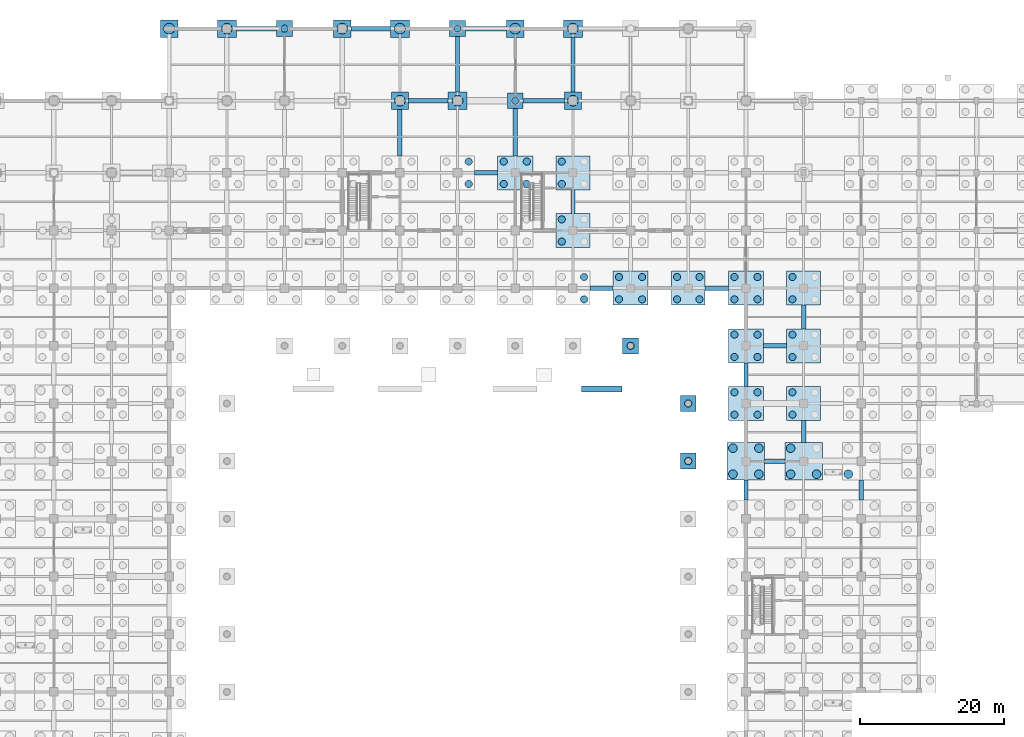
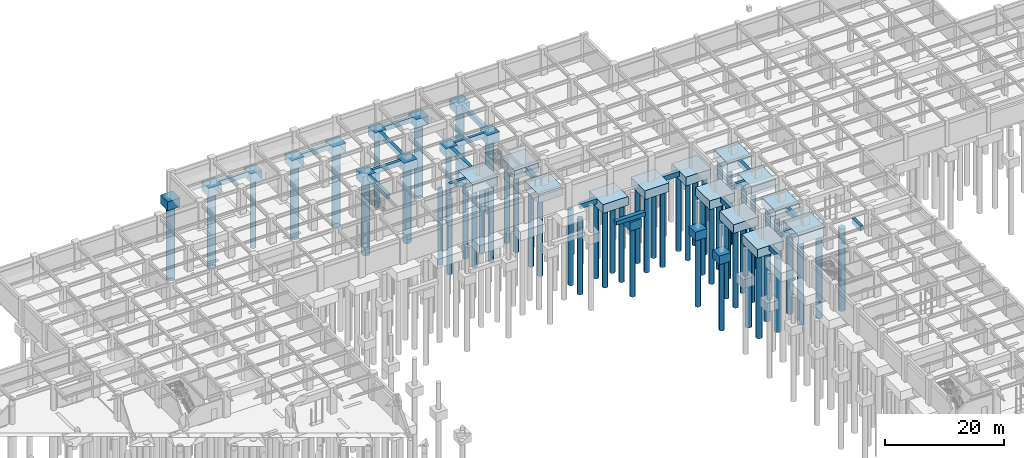
# One storey, part 17 of 97: 61 piles, 49 footings.
"""IFC4 building model written with IfcOpenShell, lengths in metres."""

from ifc_helpers import new_model, si_unit, direction, frame, origin, origin_2d, place, context, subcontext, project, spatial, rectangle, circle, extrude, material, layer, layer_set, material_profile, profile_set, type_object, element, save


model = new_model("IFC4")

# Units and contexts
model_context = context("Model", 3, precision=1e-05, world=origin(), true_north=direction((0.0, 1.0)))
body_context = subcontext(model_context, "Body", "Model", "MODEL_VIEW")
ifc_project = project(units=[si_unit("LENGTHUNIT", "METRE"), si_unit("AREAUNIT", "SQUARE_METRE"), si_unit("VOLUMEUNIT", "CUBIC_METRE"), si_unit("PLANEANGLEUNIT", "RADIAN"), si_unit("MASSUNIT", "GRAM", prefix="KILO")], contexts=[model_context])

# Site, building, storey
site_placement = place(None, origin())
site = spatial("IfcSite", under=ifc_project, at=site_placement, CompositionType="ELEMENT")
building_placement = place(site_placement, origin())
building = spatial("IfcBuilding", under=site, at=building_placement, Name="Haebicheon Civic Stadium", CompositionType="ELEMENT")
storey_placement = place(building_placement, frame((0.0, 0.0, -5.39990234375)))
storey = spatial("IfcBuildingStorey", under=building, at=storey_placement, Name="B1", CompositionType="ELEMENT", Elevation=-5.39990234375)

# Footings
ifc_material_1 = material(Name="Concrete C40/50", Category="concrete")
ifc_layer_1 = layer(ifc_material_1, 1.0, Name="Concrete C40/50")
ifc_layer_set_1 = layer_set([ifc_layer_1], Name="Concrete C40/50")
footing_type_1 = type_object("IfcFootingType", Name="FB-2800x600", PredefinedType="FOOTING_BEAM", material=ifc_layer_set_1)
for number, where, z_axis, x_axis, name in (
    (1, (144.0, 124.0, -1.0), (0.0, 0.0, 1.0), (0.0, 1.0, 0.0), "Ground tie beam Y 18-15"),
    (2, (148.0, 128.0, -1.0), (0.0, 0.0, 1.0), (1.0, 0.0, 0.0), "Ground tie beam X 18-16"),
    (3, (160.0, 124.0, -1.0), (0.0, 0.0, 1.0), (0.0, 1.0, 0.0), "Ground tie beam Y 20-15"),
):
    element("IfcFooting", number, at=place(storey_placement, frame(where, z_axis=z_axis, x_axis=x_axis)), inside=storey, type_object=footing_type_1, material=ifc_layer_set_1, Name=name, PredefinedType="FOOTING_BEAM", context=body_context, shape_type="SweptSolid", body=[
        extrude(rectangle(XDim=2.800048828125, YDim=0.60009765625, at=origin_2d()), origin(), (0.0, 0.0, 1.0), 1.0),
    ])
ifc_material_2 = material(Name="Concrete C40/50", Category="concrete")
ifc_layer_2 = layer(ifc_material_2, 1.0, Name="Concrete C40/50")
ifc_layer_set_2 = layer_set([ifc_layer_2], Name="Concrete C40/50")
footing_type_2 = type_object("IfcFootingType", Name="FB-3050x600", PredefinedType="FOOTING_BEAM", material=ifc_layer_set_2)
footing_1_placement = place(storey_placement, frame((152.0, 132.125, -1.0), z_axis=(0.0, 0.0, 1.0), x_axis=(0.0, 1.0, 0.0)))
element("IfcFooting", 4, at=footing_1_placement, inside=storey, type_object=footing_type_2, material=ifc_layer_set_2, Name="Ground tie beam Y 19-16", PredefinedType="FOOTING_BEAM", context=body_context, shape_type="SweptSolid", body=[
    extrude(rectangle(XDim=3.050048828125, YDim=0.60009765625, at=origin_2d()), origin(), (0.0, 0.0, 1.0), 1.0),
])
ifc_material_3 = material(Name="Concrete C40/50", Category="concrete")
ifc_layer_3 = layer(ifc_material_3, 1.0, Name="Concrete C40/50")
ifc_layer_set_3 = layer_set([ifc_layer_3], Name="Concrete C40/50")
footing_type_3 = type_object("IfcFootingType", Name="FB-3200x600", PredefinedType="FOOTING_BEAM", material=ifc_layer_set_3)
for number, where, z_axis, x_axis, name in (
    (5, (107.949951171875, 168.0, -1.0), (0.0, 0.0, 1.0), (1.0, 0.0, 0.0), "Ground tie beam X 13-21"),
    (6, (123.949951171875, 152.0, -1.0), (0.0, 0.0, 1.0), (1.0, 0.0, 0.0), "Ground tie beam X 15-19"),
    (7, (139.949951171875, 152.0, -1.0), (0.0, 0.0, 1.0), (1.0, 0.0, 0.0), "Ground tie beam X 17-19"),
    (8, (148.050048828125, 144.0, -1.0), (0.0, 0.0, 1.0), (1.0, 0.0, 0.0), "Ground tie beam X 18-18"),
):
    element("IfcFooting", number, at=place(storey_placement, frame(where, z_axis=z_axis, x_axis=x_axis)), inside=storey, type_object=footing_type_3, material=ifc_layer_set_3, Name=name, PredefinedType="FOOTING_BEAM", context=body_context, shape_type="SweptSolid", body=[
        extrude(rectangle(XDim=3.199951171875, YDim=0.60009765625, at=origin_2d()), origin(), (0.0, 0.0, 1.0), 1.0),
    ])
ifc_material_4 = material(Name="Concrete C40/50", Category="concrete")
ifc_layer_4 = layer(ifc_material_4, 1.0, Name="Concrete C40/50")
ifc_layer_set_4 = layer_set([ifc_layer_4], Name="Concrete C40/50")
footing_type_4 = type_object("IfcFootingType", Name="FB-3300x600", PredefinedType="FOOTING_BEAM", material=ifc_layer_set_4)
for number, where, z_axis, x_axis, name in (
    (9, (120.0, 164.0, -1.0), (0.0, 0.0, 1.0), (0.0, 1.0, 0.0), "Ground tie beam Y 15-20"),
    (10, (144.0, 140.0, -1.0), (0.0, 0.0, 1.0), (0.0, 1.0, 0.0), "Ground tie beam Y 18-17"),
    (11, (152.0, 148.0, -1.0), (0.0, 0.0, 1.0), (0.0, 1.0, 0.0), "Ground tie beam Y 19-18"),
):
    element("IfcFooting", number, at=place(storey_placement, frame(where, z_axis=z_axis, x_axis=x_axis)), inside=storey, type_object=footing_type_4, material=ifc_layer_set_4, Name=name, PredefinedType="FOOTING_BEAM", context=body_context, shape_type="SweptSolid", body=[
        extrude(rectangle(XDim=3.300048828125, YDim=0.60009765625, at=origin_2d()), origin(), (0.0, 0.0, 1.0), 1.0),
    ])
ifc_material_5 = material(Name="Concrete C40/50", Category="concrete")
ifc_layer_5 = layer(ifc_material_5, 1.0, Name="Concrete C40/50")
ifc_layer_set_5 = layer_set([ifc_layer_5], Name="Concrete C40/50")
footing_type_5 = type_object("IfcFootingType", Name="FB-5500x600", PredefinedType="FOOTING_BEAM", material=ifc_layer_set_5)
for number, where, z_axis, x_axis, name in (
    (12, (91.949951171875, 188.0, -1.0), (0.0, 0.0, 1.0), (1.0, 0.0, 0.0), "Ground tie beam X 11-23"),
    (13, (99.949951171875, 178.0, -1.0), (0.0, 0.0, 1.0), (1.0, 0.0, 0.0), "Ground tie beam X 12-22"),
):
    element("IfcFooting", number, at=place(storey_placement, frame(where, z_axis=z_axis, x_axis=x_axis)), inside=storey, type_object=footing_type_5, material=ifc_layer_set_5, Name=name, PredefinedType="FOOTING_BEAM", context=body_context, shape_type="SweptSolid", body=[
        extrude(rectangle(XDim=5.5, YDim=0.60009765625, at=origin_2d()), origin(), (0.0, 0.0, 1.0), 1.0),
    ])
ifc_material_6 = material(Name="Concrete C40/50", Category="concrete")
ifc_layer_6 = layer(ifc_material_6, 1.0, Name="Concrete C40/50")
ifc_layer_set_6 = layer_set([ifc_layer_6], Name="Concrete C40/50")
footing_type_6 = type_object("IfcFootingType", Name="FB-5600x600", PredefinedType="FOOTING_BEAM", material=ifc_layer_set_6)
footing_2_placement = place(storey_placement, frame((76.10009765625, 188.0, -1.0), z_axis=(0.0, 0.0, 1.0), x_axis=(1.0, 0.0, 0.0)))
element("IfcFooting", 14, at=footing_2_placement, inside=storey, type_object=footing_type_6, material=ifc_layer_set_6, Name="Ground tie beam X 09-23", PredefinedType="FOOTING_BEAM", context=body_context, shape_type="SweptSolid", body=[
    extrude(rectangle(XDim=5.60009765625, YDim=0.60009765625, at=origin_2d()), origin(), (0.0, 0.0, 1.0), 1.0),
])
ifc_material_7 = material(Name="Concrete C40/50", Category="concrete")
ifc_layer_7 = layer(ifc_material_7, 1.0, Name="Concrete C40/50")
ifc_layer_set_7 = layer_set([ifc_layer_7], Name="Concrete C40/50")
footing_type_7 = type_object("IfcFootingType", Name="FB-5700x600", PredefinedType="FOOTING_BEAM", material=ifc_layer_set_7)
for number, where, z_axis, x_axis, name in (
    (15, (107.949951171875, 188.0, -1.0), (0.0, 0.0, 1.0), (1.0, 0.0, 0.0), "Ground tie beam X 13-23"),
    (16, (115.949951171875, 178.0, -1.0), (0.0, 0.0, 1.0), (1.0, 0.0, 0.0), "Ground tie beam X 14-22"),
):
    element("IfcFooting", number, at=place(storey_placement, frame(where, z_axis=z_axis, x_axis=x_axis)), inside=storey, type_object=footing_type_7, material=ifc_layer_set_7, Name=name, PredefinedType="FOOTING_BEAM", context=body_context, shape_type="SweptSolid", body=[
        extrude(rectangle(XDim=5.699951171875, YDim=0.60009765625, at=origin_2d()), origin(), (0.0, 0.0, 1.0), 1.0),
    ])
ifc_material_8 = material(Name="Concrete C40/50", Category="concrete")
ifc_layer_8 = layer(ifc_material_8, 1.0, Name="Concrete C40/50")
ifc_layer_set_8 = layer_set([ifc_layer_8], Name="Concrete C40/50")
footing_type_8 = type_object("IfcFootingType", Name="FB-6450x600", PredefinedType="FOOTING_BEAM", material=ifc_layer_set_8)
footing_3_placement = place(storey_placement, frame((96.0, 173.574951171875, -1.0), z_axis=(0.0, 0.0, 1.0), x_axis=(0.0, 1.0, 0.0)))
element("IfcFooting", 17, at=footing_3_placement, inside=storey, type_object=footing_type_8, material=ifc_layer_set_8, Name="Ground tie beam Y 12-21", PredefinedType="FOOTING_BEAM", context=body_context, shape_type="SweptSolid", body=[
    extrude(rectangle(XDim=6.449951171875, YDim=0.60009765625, at=origin_2d()), origin(), (0.0, 0.0, 1.0), 1.0),
])
ifc_material_9 = material(Name="Concrete C40/50", Category="concrete")
ifc_layer_9 = layer(ifc_material_9, 1.0, Name="Concrete C40/50")
ifc_layer_set_9 = layer_set([ifc_layer_9], Name="Concrete C40/50")
footing_type_9 = type_object("IfcFootingType", Name="FB-6550x600", PredefinedType="FOOTING_BEAM", material=ifc_layer_set_9)
footing_4_placement = place(storey_placement, frame((112.0, 173.625, -1.0), z_axis=(0.0, 0.0, 1.0), x_axis=(0.0, 1.0, 0.0)))
element("IfcFooting", 18, at=footing_4_placement, inside=storey, type_object=footing_type_9, material=ifc_layer_set_9, Name="Ground tie beam Y 14-21", PredefinedType="FOOTING_BEAM", context=body_context, shape_type="SweptSolid", body=[
    extrude(rectangle(XDim=6.550048828125, YDim=0.60009765625, at=origin_2d()), origin(), (0.0, 0.0, 1.0), 1.0),
])
ifc_material_10 = material(Name="Concrete C40/50", Category="concrete")
ifc_layer_10 = layer(ifc_material_10, 1.0, Name="Concrete C40/50")
ifc_layer_set_10 = layer_set([ifc_layer_10], Name="Concrete C40/50")
footing_type_10 = type_object("IfcFootingType", Name="FB-7600x600", PredefinedType="FOOTING_BEAM", material=ifc_layer_set_10)
footing_5_placement = place(storey_placement, frame((120.0, 183.0, -1.0), z_axis=(0.0, 0.0, 1.0), x_axis=(0.0, 1.0, 0.0)))
element("IfcFooting", 19, at=footing_5_placement, inside=storey, type_object=footing_type_10, material=ifc_layer_set_10, Name="Ground tie beam Y 15-22", PredefinedType="FOOTING_BEAM", context=body_context, shape_type="SweptSolid", body=[
    extrude(rectangle(XDim=7.60009765625, YDim=0.60009765625, at=origin_2d()), origin(), (0.0, 0.0, 1.0), 1.0),
])
ifc_material_11 = material(Name="Concrete C40/50", Category="concrete")
ifc_layer_11 = layer(ifc_material_11, 1.0, Name="Concrete C40/50")
ifc_layer_set_11 = layer_set([ifc_layer_11], Name="Concrete C40/50")
footing_type_11 = type_object("IfcFootingType", Name="FB-7700x600", PredefinedType="FOOTING_BEAM", material=ifc_layer_set_11)
footing_6_placement = place(storey_placement, frame((104.0, 183.050048828125, -1.0), z_axis=(0.0, 0.0, 1.0), x_axis=(0.0, 1.0, 0.0)))
element("IfcFooting", 20, at=footing_6_placement, inside=storey, type_object=footing_type_11, material=ifc_layer_set_11, Name="Ground tie beam Y 13-22", PredefinedType="FOOTING_BEAM", context=body_context, shape_type="SweptSolid", body=[
    extrude(rectangle(XDim=7.699951171875, YDim=0.60009765625, at=origin_2d()), origin(), (0.0, 0.0, 1.0), 1.0),
])
ifc_material_12 = material(Name="Concrete C40/50", Category="concrete")
ifc_layer_12 = layer(ifc_material_12, 1.800048828125, Name="Concrete C40/50")
ifc_layer_set_12 = layer_set([ifc_layer_12], Name="Concrete C40/50")
footing_type_12 = type_object("IfcFootingType", Name="PC-1P-2200", PredefinedType="PILE_CAP", material=ifc_layer_set_12)
for number, where, z_axis, x_axis, name in (
    (21, (80.0, 188.0, -1.80029296875), (0.0, 0.0, 1.0), (1.0, 0.0, 0.0), "Pile cap FT-PC-10-23"),
    (22, (104.0, 188.0, -1.80029296875), (0.0, 0.0, 1.0), (1.0, 0.0, 0.0), "Pile cap FT-PC-13-23"),
    (23, (112.0, 178.0, -1.80029296875), (0.0, 0.0, 1.0), (1.0, 0.0, 0.0), "Pile cap FT-PC-14-22"),
    (24, (136.0, 128.0, -1.80029296875), (0.0, 0.0, 1.0), (1.0, 0.0, 0.0), "Bowl pier pile cap FT-BPC-023"),
    (25, (136.0, 136.0, -1.80029296875), (0.0, 0.0, 1.0), (1.0, 0.0, 0.0), "Bowl pier pile cap FT-BPC-024"),
    (26, (128.0, 144.0, -1.80029296875), (0.0, 0.0, 1.0), (1.0, 0.0, 0.0), "Bowl pier pile cap FT-BPC-031"),
):
    element("IfcFooting", number, at=place(storey_placement, frame(where, z_axis=z_axis, x_axis=x_axis)), inside=storey, type_object=footing_type_12, material=ifc_layer_set_12, Name=name, PredefinedType="PILE_CAP", context=body_context, shape_type="SweptSolid", body=[
        extrude(rectangle(XDim=2.199951171875, YDim=2.199951171875, at=origin_2d()), origin(), (0.0, 0.0, 1.0), 1.800048828125),
    ])
ifc_material_13 = material(Name="Concrete C40/50", Category="concrete")
ifc_layer_13 = layer(ifc_material_13, 1.800048828125, Name="Concrete C40/50")
ifc_layer_set_13 = layer_set([ifc_layer_13], Name="Concrete C40/50")
footing_type_13 = type_object("IfcFootingType", Name="PC-1P-2400", PredefinedType="PILE_CAP", material=ifc_layer_set_13)
for number, where, z_axis, x_axis, name in (
    (27, (64.0, 188.0, -1.80029296875), (0.0, 0.0, 1.0), (1.0, 0.0, 0.0), "Pile cap FT-PC-08-23"),
    (28, (88.0, 188.0, -1.80029296875), (0.0, 0.0, 1.0), (1.0, 0.0, 0.0), "Pile cap FT-PC-11-23"),
    (29, (96.0, 178.0, -1.80029296875), (0.0, 0.0, 1.0), (1.0, 0.0, 0.0), "Pile cap FT-PC-12-22"),
    (30, (112.0, 188.0, -1.80029296875), (0.0, 0.0, 1.0), (1.0, 0.0, 0.0), "Pile cap FT-PC-14-23"),
    (31, (120.0, 178.0, -1.80029296875), (0.0, 0.0, 1.0), (1.0, 0.0, 0.0), "Pile cap FT-PC-15-22"),
):
    element("IfcFooting", number, at=place(storey_placement, frame(where, z_axis=z_axis, x_axis=x_axis)), inside=storey, type_object=footing_type_13, material=ifc_layer_set_13, Name=name, PredefinedType="PILE_CAP", context=body_context, shape_type="SweptSolid", body=[
        extrude(rectangle(XDim=2.39990234375, YDim=2.39990234375, at=origin_2d()), origin(), (0.0, 0.0, 1.0), 1.800048828125),
    ])
ifc_material_14 = material(Name="Concrete C40/50", Category="concrete")
ifc_layer_14 = layer(ifc_material_14, 1.800048828125, Name="Concrete C40/50")
ifc_layer_set_14 = layer_set([ifc_layer_14], Name="Concrete C40/50")
footing_type_14 = type_object("IfcFootingType", Name="PC-1P-2600", PredefinedType="PILE_CAP", material=ifc_layer_set_14)
for number, where, z_axis, x_axis, name in (
    (32, (72.0, 188.0, -1.80029296875), (0.0, 0.0, 1.0), (1.0, 0.0, 0.0), "Pile cap FT-PC-09-23"),
    (33, (96.0, 188.0, -1.80029296875), (0.0, 0.0, 1.0), (1.0, 0.0, 0.0), "Pile cap FT-PC-12-23"),
    (34, (104.0, 178.0, -1.80029296875), (0.0, 0.0, 1.0), (1.0, 0.0, 0.0), "Pile cap FT-PC-13-22"),
    (35, (120.0, 188.0, -1.80029296875), (0.0, 0.0, 1.0), (1.0, 0.0, 0.0), "Pile cap FT-PC-15-23"),
):
    element("IfcFooting", number, at=place(storey_placement, frame(where, z_axis=z_axis, x_axis=x_axis)), inside=storey, type_object=footing_type_14, material=ifc_layer_set_14, Name=name, PredefinedType="PILE_CAP", context=body_context, shape_type="SweptSolid", body=[
        extrude(rectangle(XDim=2.60009765625, YDim=2.39990234375, at=origin_2d()), origin(), (0.0, 0.0, 1.0), 1.800048828125),
    ])
ifc_material_15 = material(Name="Concrete C40/50", Category="concrete")
ifc_layer_15 = layer(ifc_material_15, 1.800048828125, Name="Concrete C40/50")
ifc_layer_set_15 = layer_set([ifc_layer_15], Name="Concrete C40/50")
footing_type_15 = type_object("IfcFootingType", Name="PC-4P-4700", PredefinedType="PILE_CAP", material=ifc_layer_set_15)
for number, where, z_axis, x_axis, name in (
    (36, (120.0, 160.0, -1.80029296875), (0.0, 0.0, 1.0), (1.0, 0.0, 0.0), "Pile cap FT-PC-15-20"),
    (37, (120.0, 168.0, -1.80029296875), (0.0, 0.0, 1.0), (1.0, 0.0, 0.0), "Pile cap FT-PC-15-21"),
    (38, (136.0, 152.0, -1.80029296875), (0.0, 0.0, 1.0), (1.0, 0.0, 0.0), "Pile cap FT-PC-17-19"),
    (39, (152.0, 136.0, -1.80029296875), (0.0, 0.0, 1.0), (1.0, 0.0, 0.0), "Pile cap FT-PC-19-17"),
    (40, (152.0, 144.0, -1.80029296875), (0.0, 0.0, 1.0), (1.0, 0.0, 0.0), "Pile cap FT-PC-19-18"),
    (41, (152.0, 152.0, -1.80029296875), (0.0, 0.0, 1.0), (1.0, 0.0, 0.0), "Pile cap FT-PC-19-19"),
):
    element("IfcFooting", number, at=place(storey_placement, frame(where, z_axis=z_axis, x_axis=x_axis)), inside=storey, type_object=footing_type_15, material=ifc_layer_set_15, Name=name, PredefinedType="PILE_CAP", context=body_context, shape_type="SweptSolid", body=[
        extrude(rectangle(XDim=4.699951171875, YDim=4.699951171875, at=origin_2d()), origin(), (0.0, 0.0, 1.0), 1.800048828125),
    ])
ifc_material_16 = material(Name="Concrete C40/50", Category="concrete")
ifc_layer_16 = layer(ifc_material_16, 1.800048828125, Name="Concrete C40/50")
ifc_layer_set_16 = layer_set([ifc_layer_16], Name="Concrete C40/50")
footing_type_16 = type_object("IfcFootingType", Name="PC-4P-4900", PredefinedType="PILE_CAP", material=ifc_layer_set_16)
for number, where, z_axis, x_axis, name in (
    (42, (112.0, 168.0, -1.80029296875), (0.0, 0.0, 1.0), (1.0, 0.0, 0.0), "Pile cap FT-PC-14-21"),
    (43, (128.0, 152.0, -1.80029296875), (0.0, 0.0, 1.0), (1.0, 0.0, 0.0), "Pile cap FT-PC-16-19"),
    (44, (144.0, 136.0, -1.80029296875), (0.0, 0.0, 1.0), (1.0, 0.0, 0.0), "Pile cap FT-PC-18-17"),
    (45, (144.0, 144.0, -1.80029296875), (0.0, 0.0, 1.0), (1.0, 0.0, 0.0), "Pile cap FT-PC-18-18"),
    (46, (144.0, 152.0, -1.80029296875), (0.0, 0.0, 1.0), (1.0, 0.0, 0.0), "Pile cap FT-PC-18-19"),
):
    element("IfcFooting", number, at=place(storey_placement, frame(where, z_axis=z_axis, x_axis=x_axis)), inside=storey, type_object=footing_type_16, material=ifc_layer_set_16, Name=name, PredefinedType="PILE_CAP", context=body_context, shape_type="SweptSolid", body=[
        extrude(rectangle(XDim=4.89990234375, YDim=4.699951171875, at=origin_2d()), origin(), (0.0, 0.0, 1.0), 1.800048828125),
    ])
ifc_material_17 = material(Name="Concrete C40/50", Category="concrete")
ifc_layer_17 = layer(ifc_material_17, 1.800048828125, Name="Concrete C40/50")
ifc_layer_set_17 = layer_set([ifc_layer_17], Name="Concrete C40/50")
footing_type_17 = type_object("IfcFootingType", Name="PC-4P-5200", PredefinedType="PILE_CAP", material=ifc_layer_set_17)
for number, where, z_axis, x_axis, name in (
    (47, (144.0, 128.0, -1.80029296875), (0.0, 0.0, 1.0), (1.0, 0.0, 0.0), "Pile cap FT-PC-18-16"),
    (48, (152.0, 128.0, -1.80029296875), (0.0, 0.0, 1.0), (1.0, 0.0, 0.0), "Pile cap FT-PC-19-16"),
):
    element("IfcFooting", number, at=place(storey_placement, frame(where, z_axis=z_axis, x_axis=x_axis)), inside=storey, type_object=footing_type_17, material=ifc_layer_set_17, Name=name, PredefinedType="PILE_CAP", context=body_context, shape_type="SweptSolid", body=[
        extrude(rectangle(XDim=5.199951171875, YDim=5.199951171875, at=origin_2d()), origin(), (0.0, 0.0, 1.0), 1.800048828125),
    ])

# Piles
ifc_material_18 = material(Name="Concrete C40/50", Category="concrete")
ifc_material_profile_1 = material_profile(ifc_material_18, circle(Radius=0.5, at=origin_2d()), Name="PILE-D1000")
ifc_profile_set_1 = profile_set([ifc_material_profile_1], Name="Concrete C40/50")
pile_type_1 = type_object("IfcPileType", Name="PL-D1000", PredefinedType="BORED", material=ifc_profile_set_1)
pile_1_placement = place(storey_placement, frame((80.0, 188.0, -1.7001953125), z_axis=(0.0, 0.0, -1.0), x_axis=(1.0, 0.0, 0.0)))
element("IfcPile", 49, at=pile_1_placement, inside=storey, type_object=pile_type_1, material=ifc_profile_set_1, Name="Bored pile 10-23-1", PredefinedType="BORED", context=body_context, shape_type="SweptSolid", body=[
    extrude(circle(Radius=0.5, at=origin_2d()), origin(), (0.0, 0.0, 1.0), 14.300048828125),
])
for number, where, z_axis, x_axis, name in (
    (50, (105.550048828125, 166.449951171875, -1.7001953125), (0.0, 0.0, -1.0), (1.0, 0.0, 0.0), "Bored pile 13-21-2"),
    (51, (105.550048828125, 169.550048828125, -1.7001953125), (0.0, 0.0, -1.0), (1.0, 0.0, 0.0), "Bored pile 13-21-4"),
):
    element("IfcPile", number, at=place(storey_placement, frame(where, z_axis=z_axis, x_axis=x_axis)), inside=storey, type_object=pile_type_1, material=ifc_profile_set_1, Name=name, PredefinedType="BORED", context=body_context, shape_type="SweptSolid", body=[
        extrude(circle(Radius=0.5, at=origin_2d()), origin(), (0.0, 0.0, 1.0), 15.5),
    ])
pile_2_placement = place(storey_placement, frame((104.0, 188.0, -1.7001953125), z_axis=(0.0, 0.0, -1.0), x_axis=(1.0, 0.0, 0.0)))
element("IfcPile", 52, at=pile_2_placement, inside=storey, type_object=pile_type_1, material=ifc_profile_set_1, Name="Bored pile 13-23-1", PredefinedType="BORED", context=body_context, shape_type="SweptSolid", body=[
    extrude(circle(Radius=0.5, at=origin_2d()), origin(), (0.0, 0.0, 1.0), 14.300048828125),
])
for number, where, z_axis, x_axis, name in (
    (53, (110.39990234375, 166.449951171875, -1.7001953125), (0.0, 0.0, -1.0), (1.0, 0.0, 0.0), "Bored pile 14-21-1"),
    (54, (113.60009765625, 166.449951171875, -1.7001953125), (0.0, 0.0, -1.0), (1.0, 0.0, 0.0), "Bored pile 14-21-2"),
    (55, (110.39990234375, 169.550048828125, -1.7001953125), (0.0, 0.0, -1.0), (1.0, 0.0, 0.0), "Bored pile 14-21-3"),
    (56, (113.60009765625, 169.550048828125, -1.7001953125), (0.0, 0.0, -1.0), (1.0, 0.0, 0.0), "Bored pile 14-21-4"),
):
    element("IfcPile", number, at=place(storey_placement, frame(where, z_axis=z_axis, x_axis=x_axis)), inside=storey, type_object=pile_type_1, material=ifc_profile_set_1, Name=name, PredefinedType="BORED", context=body_context, shape_type="SweptSolid", body=[
        extrude(circle(Radius=0.5, at=origin_2d()), origin(), (0.0, 0.0, 1.0), 15.800048828125),
    ])
pile_3_placement = place(storey_placement, frame((112.0, 178.0, -1.7001953125), z_axis=(0.0, 0.0, -1.0), x_axis=(1.0, 0.0, 0.0)))
element("IfcPile", 57, at=pile_3_placement, inside=storey, type_object=pile_type_1, material=ifc_profile_set_1, Name="Bored pile 14-22-1", PredefinedType="BORED", context=body_context, shape_type="SweptSolid", body=[
    extrude(circle(Radius=0.5, at=origin_2d()), origin(), (0.0, 0.0, 1.0), 14.300048828125),
])
for number, where, z_axis, x_axis, name in (
    (58, (121.550048828125, 150.449951171875, -1.7001953125), (0.0, 0.0, -1.0), (1.0, 0.0, 0.0), "Bored pile 15-19-2"),
    (59, (121.550048828125, 153.550048828125, -1.7001953125), (0.0, 0.0, -1.0), (1.0, 0.0, 0.0), "Bored pile 15-19-4"),
    (60, (118.449951171875, 158.449951171875, -1.7001953125), (0.0, 0.0, -1.0), (1.0, 0.0, 0.0), "Bored pile 15-20-1"),
    (61, (118.449951171875, 161.550048828125, -1.7001953125), (0.0, 0.0, -1.0), (1.0, 0.0, 0.0), "Bored pile 15-20-3"),
    (62, (118.449951171875, 166.449951171875, -1.7001953125), (0.0, 0.0, -1.0), (1.0, 0.0, 0.0), "Bored pile 15-21-1"),
    (63, (118.449951171875, 169.550048828125, -1.7001953125), (0.0, 0.0, -1.0), (1.0, 0.0, 0.0), "Bored pile 15-21-3"),
):
    element("IfcPile", number, at=place(storey_placement, frame(where, z_axis=z_axis, x_axis=x_axis)), inside=storey, type_object=pile_type_1, material=ifc_profile_set_1, Name=name, PredefinedType="BORED", context=body_context, shape_type="SweptSolid", body=[
        extrude(circle(Radius=0.5, at=origin_2d()), origin(), (0.0, 0.0, 1.0), 15.5),
    ])
for number, where, z_axis, x_axis, name in (
    (64, (126.39990234375, 150.449951171875, -1.7001953125), (0.0, 0.0, -1.0), (1.0, 0.0, 0.0), "Bored pile 16-19-1"),
    (65, (129.60009765625, 150.449951171875, -1.7001953125), (0.0, 0.0, -1.0), (1.0, 0.0, 0.0), "Bored pile 16-19-2"),
    (66, (126.39990234375, 153.550048828125, -1.7001953125), (0.0, 0.0, -1.0), (1.0, 0.0, 0.0), "Bored pile 16-19-3"),
    (67, (129.60009765625, 153.550048828125, -1.7001953125), (0.0, 0.0, -1.0), (1.0, 0.0, 0.0), "Bored pile 16-19-4"),
):
    element("IfcPile", number, at=place(storey_placement, frame(where, z_axis=z_axis, x_axis=x_axis)), inside=storey, type_object=pile_type_1, material=ifc_profile_set_1, Name=name, PredefinedType="BORED", context=body_context, shape_type="SweptSolid", body=[
        extrude(circle(Radius=0.5, at=origin_2d()), origin(), (0.0, 0.0, 1.0), 15.800048828125),
    ])
for number, where, z_axis, x_axis, name in (
    (68, (134.449951171875, 150.449951171875, -1.7001953125), (0.0, 0.0, -1.0), (1.0, 0.0, 0.0), "Bored pile 17-19-1"),
    (69, (137.550048828125, 150.449951171875, -1.7001953125), (0.0, 0.0, -1.0), (1.0, 0.0, 0.0), "Bored pile 17-19-2"),
    (70, (134.449951171875, 153.550048828125, -1.7001953125), (0.0, 0.0, -1.0), (1.0, 0.0, 0.0), "Bored pile 17-19-3"),
    (71, (137.550048828125, 153.550048828125, -1.7001953125), (0.0, 0.0, -1.0), (1.0, 0.0, 0.0), "Bored pile 17-19-4"),
):
    element("IfcPile", number, at=place(storey_placement, frame(where, z_axis=z_axis, x_axis=x_axis)), inside=storey, type_object=pile_type_1, material=ifc_profile_set_1, Name=name, PredefinedType="BORED", context=body_context, shape_type="SweptSolid", body=[
        extrude(circle(Radius=0.5, at=origin_2d()), origin(), (0.0, 0.0, 1.0), 15.5),
    ])
for number, where, z_axis, x_axis, name in (
    (72, (142.39990234375, 134.449951171875, -1.7001953125), (0.0, 0.0, -1.0), (1.0, 0.0, 0.0), "Bored pile 18-17-1"),
    (73, (145.60009765625, 134.449951171875, -1.7001953125), (0.0, 0.0, -1.0), (1.0, 0.0, 0.0), "Bored pile 18-17-2"),
    (74, (142.39990234375, 137.550048828125, -1.7001953125), (0.0, 0.0, -1.0), (1.0, 0.0, 0.0), "Bored pile 18-17-3"),
    (75, (145.60009765625, 137.550048828125, -1.7001953125), (0.0, 0.0, -1.0), (1.0, 0.0, 0.0), "Bored pile 18-17-4"),
    (76, (142.39990234375, 142.449951171875, -1.7001953125), (0.0, 0.0, -1.0), (1.0, 0.0, 0.0), "Bored pile 18-18-1"),
    (77, (145.60009765625, 142.449951171875, -1.7001953125), (0.0, 0.0, -1.0), (1.0, 0.0, 0.0), "Bored pile 18-18-2"),
    (78, (142.39990234375, 145.550048828125, -1.7001953125), (0.0, 0.0, -1.0), (1.0, 0.0, 0.0), "Bored pile 18-18-3"),
    (79, (145.60009765625, 145.550048828125, -1.7001953125), (0.0, 0.0, -1.0), (1.0, 0.0, 0.0), "Bored pile 18-18-4"),
    (80, (142.39990234375, 150.449951171875, -1.7001953125), (0.0, 0.0, -1.0), (1.0, 0.0, 0.0), "Bored pile 18-19-1"),
    (81, (145.60009765625, 150.449951171875, -1.7001953125), (0.0, 0.0, -1.0), (1.0, 0.0, 0.0), "Bored pile 18-19-2"),
    (82, (142.39990234375, 153.550048828125, -1.7001953125), (0.0, 0.0, -1.0), (1.0, 0.0, 0.0), "Bored pile 18-19-3"),
    (83, (145.60009765625, 153.550048828125, -1.7001953125), (0.0, 0.0, -1.0), (1.0, 0.0, 0.0), "Bored pile 18-19-4"),
):
    element("IfcPile", number, at=place(storey_placement, frame(where, z_axis=z_axis, x_axis=x_axis)), inside=storey, type_object=pile_type_1, material=ifc_profile_set_1, Name=name, PredefinedType="BORED", context=body_context, shape_type="SweptSolid", body=[
        extrude(circle(Radius=0.5, at=origin_2d()), origin(), (0.0, 0.0, 1.0), 15.800048828125),
    ])
for number, where, z_axis, x_axis, name in (
    (84, (150.449951171875, 134.449951171875, -1.7001953125), (0.0, 0.0, -1.0), (1.0, 0.0, 0.0), "Bored pile 19-17-1"),
    (85, (150.449951171875, 137.550048828125, -1.7001953125), (0.0, 0.0, -1.0), (1.0, 0.0, 0.0), "Bored pile 19-17-3"),
    (86, (150.449951171875, 142.449951171875, -1.7001953125), (0.0, 0.0, -1.0), (1.0, 0.0, 0.0), "Bored pile 19-18-1"),
    (87, (150.449951171875, 145.550048828125, -1.7001953125), (0.0, 0.0, -1.0), (1.0, 0.0, 0.0), "Bored pile 19-18-3"),
    (88, (150.449951171875, 150.449951171875, -1.7001953125), (0.0, 0.0, -1.0), (1.0, 0.0, 0.0), "Bored pile 19-19-1"),
    (89, (150.449951171875, 153.550048828125, -1.7001953125), (0.0, 0.0, -1.0), (1.0, 0.0, 0.0), "Bored pile 19-19-3"),
):
    element("IfcPile", number, at=place(storey_placement, frame(where, z_axis=z_axis, x_axis=x_axis)), inside=storey, type_object=pile_type_1, material=ifc_profile_set_1, Name=name, PredefinedType="BORED", context=body_context, shape_type="SweptSolid", body=[
        extrude(circle(Radius=0.5, at=origin_2d()), origin(), (0.0, 0.0, 1.0), 15.5),
    ])
for number, where, z_axis, x_axis, name in (
    (90, (136.0, 128.0, -1.7001953125), (0.0, 0.0, -1.0), (1.0, 0.0, 0.0), "Bowl pier bored pile 023"),
    (91, (136.0, 136.0, -1.7001953125), (0.0, 0.0, -1.0), (1.0, 0.0, 0.0), "Bowl pier bored pile 024"),
    (92, (128.0, 144.0, -1.7001953125), (0.0, 0.0, -1.0), (1.0, 0.0, 0.0), "Bowl pier bored pile 031"),
):
    element("IfcPile", number, at=place(storey_placement, frame(where, z_axis=z_axis, x_axis=x_axis)), inside=storey, type_object=pile_type_1, material=ifc_profile_set_1, Name=name, PredefinedType="BORED", context=body_context, shape_type="SweptSolid", body=[
        extrude(circle(Radius=0.5, at=origin_2d()), origin(), (0.0, 0.0, 1.0), 14.300048828125),
    ])
ifc_material_19 = material(Name="Concrete C40/50", Category="concrete")
ifc_material_profile_2 = material_profile(ifc_material_19, circle(Radius=0.60009765625, at=origin_2d()), Name="PILE-D1200")
ifc_profile_set_2 = profile_set([ifc_material_profile_2], Name="Concrete C40/50")
pile_type_2 = type_object("IfcPileType", Name="PL-D1200", PredefinedType="BORED", material=ifc_profile_set_2)
for number, where, z_axis, x_axis, name in (
    (93, (142.199951171875, 126.199951171875, -1.7001953125), (0.0, 0.0, -1.0), (1.0, 0.0, 0.0), "Bored pile 18-16-1"),
    (94, (145.800048828125, 126.199951171875, -1.7001953125), (0.0, 0.0, -1.0), (1.0, 0.0, 0.0), "Bored pile 18-16-2"),
    (95, (142.199951171875, 129.800048828125, -1.7001953125), (0.0, 0.0, -1.0), (1.0, 0.0, 0.0), "Bored pile 18-16-3"),
    (96, (145.800048828125, 129.800048828125, -1.7001953125), (0.0, 0.0, -1.0), (1.0, 0.0, 0.0), "Bored pile 18-16-4"),
    (97, (150.199951171875, 126.199951171875, -1.7001953125), (0.0, 0.0, -1.0), (1.0, 0.0, 0.0), "Bored pile 19-16-1"),
    (98, (153.800048828125, 126.199951171875, -1.7001953125), (0.0, 0.0, -1.0), (1.0, 0.0, 0.0), "Bored pile 19-16-2"),
    (99, (150.199951171875, 129.800048828125, -1.7001953125), (0.0, 0.0, -1.0), (1.0, 0.0, 0.0), "Bored pile 19-16-3"),
    (100, (158.199951171875, 126.199951171875, -1.7001953125), (0.0, 0.0, -1.0), (1.0, 0.0, 0.0), "Bored pile 20-16-1"),
):
    element("IfcPile", number, at=place(storey_placement, frame(where, z_axis=z_axis, x_axis=x_axis)), inside=storey, type_object=pile_type_2, material=ifc_profile_set_2, Name=name, PredefinedType="BORED", context=body_context, shape_type="SweptSolid", body=[
        extrude(circle(Radius=0.60009765625, at=origin_2d()), origin(), (0.0, 0.0, 1.0), 16.89990234375),
    ])
ifc_material_20 = material(Name="Concrete C40/50", Category="concrete")
ifc_material_profile_3 = material_profile(ifc_material_20, circle(Radius=0.75, at=origin_2d()), Name="PILE-D1500")
ifc_profile_set_3 = profile_set([ifc_material_profile_3], Name="Concrete C40/50")
pile_type_3 = type_object("IfcPileType", Name="PL-D1500", PredefinedType="BORED", material=ifc_profile_set_3)
pile_4_placement = place(storey_placement, frame((64.0, 188.0, -1.7001953125), z_axis=(0.0, 0.0, -1.0), x_axis=(1.0, 0.0, 0.0)))
element("IfcPile", 101, at=pile_4_placement, inside=storey, type_object=pile_type_3, material=ifc_profile_set_3, Name="Bored pile 08-23-1", PredefinedType="BORED", context=body_context, shape_type="SweptSolid", body=[
    extrude(circle(Radius=0.75, at=origin_2d()), origin(), (0.0, 0.0, 1.0), 15.10009765625),
])
pile_5_placement = place(storey_placement, frame((72.0, 188.0, -1.7001953125), z_axis=(0.0, 0.0, -1.0), x_axis=(1.0, 0.0, 0.0)))
element("IfcPile", 102, at=pile_5_placement, inside=storey, type_object=pile_type_3, material=ifc_profile_set_3, Name="Bored pile 09-23-1", PredefinedType="BORED", context=body_context, shape_type="SweptSolid", body=[
    extrude(circle(Radius=0.75, at=origin_2d()), origin(), (0.0, 0.0, 1.0), 15.39990234375),
])
for number, where, z_axis, x_axis, name in (
    (103, (88.0, 188.0, -1.7001953125), (0.0, 0.0, -1.0), (1.0, 0.0, 0.0), "Bored pile 11-23-1"),
    (104, (96.0, 178.0, -1.7001953125), (0.0, 0.0, -1.0), (1.0, 0.0, 0.0), "Bored pile 12-22-1"),
):
    element("IfcPile", number, at=place(storey_placement, frame(where, z_axis=z_axis, x_axis=x_axis)), inside=storey, type_object=pile_type_3, material=ifc_profile_set_3, Name=name, PredefinedType="BORED", context=body_context, shape_type="SweptSolid", body=[
        extrude(circle(Radius=0.75, at=origin_2d()), origin(), (0.0, 0.0, 1.0), 15.10009765625),
    ])
for number, where, z_axis, x_axis, name in (
    (105, (96.0, 188.0, -1.7001953125), (0.0, 0.0, -1.0), (1.0, 0.0, 0.0), "Bored pile 12-23-1"),
    (106, (104.0, 178.0, -1.7001953125), (0.0, 0.0, -1.0), (1.0, 0.0, 0.0), "Bored pile 13-22-1"),
):
    element("IfcPile", number, at=place(storey_placement, frame(where, z_axis=z_axis, x_axis=x_axis)), inside=storey, type_object=pile_type_3, material=ifc_profile_set_3, Name=name, PredefinedType="BORED", context=body_context, shape_type="SweptSolid", body=[
        extrude(circle(Radius=0.75, at=origin_2d()), origin(), (0.0, 0.0, 1.0), 15.39990234375),
    ])
for number, where, z_axis, x_axis, name in (
    (107, (112.0, 188.0, -1.7001953125), (0.0, 0.0, -1.0), (1.0, 0.0, 0.0), "Bored pile 14-23-1"),
    (108, (120.0, 178.0, -1.7001953125), (0.0, 0.0, -1.0), (1.0, 0.0, 0.0), "Bored pile 15-22-1"),
):
    element("IfcPile", number, at=place(storey_placement, frame(where, z_axis=z_axis, x_axis=x_axis)), inside=storey, type_object=pile_type_3, material=ifc_profile_set_3, Name=name, PredefinedType="BORED", context=body_context, shape_type="SweptSolid", body=[
        extrude(circle(Radius=0.75, at=origin_2d()), origin(), (0.0, 0.0, 1.0), 15.10009765625),
    ])
pile_6_placement = place(storey_placement, frame((120.0, 188.0, -1.7001953125), z_axis=(0.0, 0.0, -1.0), x_axis=(1.0, 0.0, 0.0)))
element("IfcPile", 109, at=pile_6_placement, inside=storey, type_object=pile_type_3, material=ifc_profile_set_3, Name="Bored pile 15-23-1", PredefinedType="BORED", context=body_context, shape_type="SweptSolid", body=[
    extrude(circle(Radius=0.75, at=origin_2d()), origin(), (0.0, 0.0, 1.0), 15.39990234375),
])

# Footing
ifc_material_21 = material(Name="Concrete C35/45", Category="concrete")
ifc_layer_18 = layer(ifc_material_21, 0.800048828125, Name="Concrete C35/45")
ifc_layer_set_18 = layer_set([ifc_layer_18], Name="Concrete C35/45")
footing_type_18 = type_object("IfcFootingType", Name="SF-5600x800", PredefinedType="STRIP_FOOTING", material=ifc_layer_set_18)
footing_7_placement = place(storey_placement, frame((124.0, 138.0, 4.60009765625), z_axis=(0.0, 0.0, 1.0), x_axis=(1.0, 0.0, 0.0)))
element("IfcFooting", 110, at=footing_7_placement, inside=storey, type_object=footing_type_18, material=ifc_layer_set_18, Name="Pitch kerb strip footing 2.4", PredefinedType="STRIP_FOOTING", context=body_context, shape_type="SweptSolid", body=[
    extrude(rectangle(XDim=5.60009765625, YDim=0.800048828125, at=origin_2d()), origin(), (0.0, 0.0, 1.0), 0.800048828125),
])

save(model, "model.ifc")
